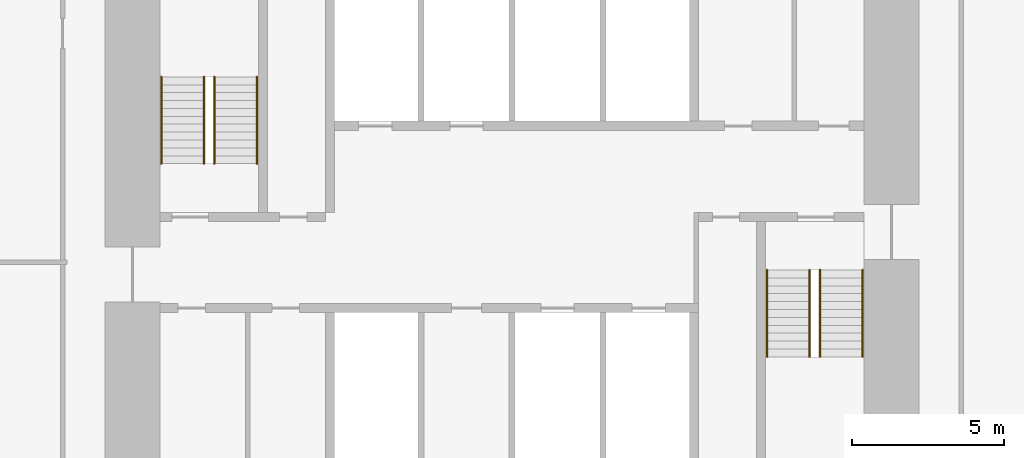
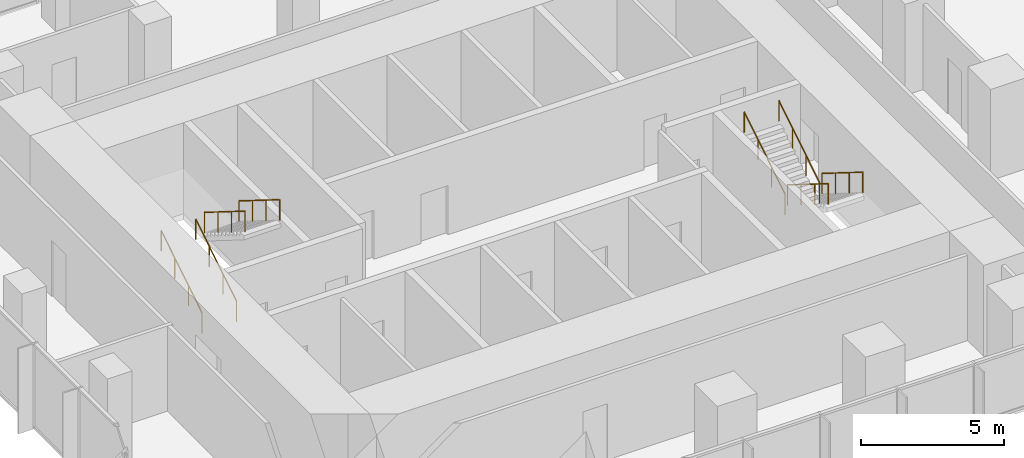
# One storey, part 10 of 10: 8 railings.
"""IFC4 building model written with IfcOpenShell, lengths in metres."""

from ifc_helpers import new_model, si_unit, direction, frame, origin, origin_2d, place, context, subcontext, project, spatial, circle, extrude, material, type_object, element, save


model = new_model("IFC4")

# Units and contexts
model_context = context("Model", 3, precision=1e-05, world=origin(), true_north=direction((0.0, 1.0)))
body_context = subcontext(model_context, "Body", "Model", "MODEL_VIEW")
ifc_project = project(units=[si_unit("LENGTHUNIT", "METRE"), si_unit("AREAUNIT", "SQUARE_METRE"), si_unit("VOLUMEUNIT", "CUBIC_METRE"), si_unit("PLANEANGLEUNIT", "RADIAN"), si_unit("MASSUNIT", "GRAM", prefix="KILO")], contexts=[model_context])

# Site, building, storey
site_placement = place(None, origin())
site = spatial("IfcSite", under=ifc_project, at=site_placement, CompositionType="ELEMENT")
building_placement = place(site_placement, origin())
building = spatial("IfcBuilding", under=site, at=building_placement, Name="Highveld Stack Headquarters", CompositionType="ELEMENT")
storey_placement = place(building_placement, frame((0.0, 0.0, 264.5)))
storey = spatial("IfcBuildingStorey", under=building, at=storey_placement, Name="L65", CompositionType="ELEMENT", Elevation=264.5)

# Railings
ifc_material = material(Name="Stainless steel handrail", Category="steel")
railing_type = type_object("IfcRailingType", Name="STAIR HANDRAIL HR1 900", PredefinedType="HANDRAIL", material=ifc_material)
for number, where, name in (
    (1, (-5.550048828125, 4.75, 0.16259765625), "Handrail S1 L65 flight 1"),
    (2, (-4.14990234375, 4.75, 0.16259765625), "Handrail S1 L65 flight 1"),
):
    element("IfcRailing", number, at=place(storey_placement, frame(where)), inside=storey, type_object=railing_type, Name=name, PredefinedType="HANDRAIL", context=body_context, shape_type="SweptSolid", body=[
        extrude(circle(Radius=0.02392578125, at=origin_2d()), frame((0.0, 0.0, 0.8759765625), z_axis=(0.0, 0.848026770018, 0.529953391661), x_axis=(-1.0, 0.0, 0.0)), (0.0, 0.0, 1.0), 3.37255859375),
        extrude(circle(Radius=0.02099609375, at=origin_2d()), origin(), (0.0, 0.0, 1.0), 0.851806640625),
        extrude(circle(Radius=0.02099609375, at=origin_2d()), frame((0.0, 0.953369140625, 0.595703125)), (0.0, 0.0, 1.0), 0.851806640625),
        extrude(circle(Radius=0.02099609375, at=origin_2d()), frame((0.0, 1.90673828125, 1.191650390625)), (0.0, 0.0, 1.0), 0.851806640625),
        extrude(circle(Radius=0.02099609375, at=origin_2d()), frame((0.0, 2.860107421875, 1.787353515625)), (0.0, 0.0, 1.0), 0.851806640625),
    ])
for number, where, name in (
    (3, (-3.800048828125, 7.610107421875, 2.112548828125), "Handrail S1 L65 flight 2"),
    (4, (-2.39990234375, 7.610107421875, 2.112548828125), "Handrail S1 L65 flight 2"),
    (5, (16.14990234375, 1.25, 0.16259765625), "Handrail S2 L65 flight 1"),
    (6, (17.550048828125, 1.25, 0.16259765625), "Handrail S2 L65 flight 1"),
):
    element("IfcRailing", number, at=place(storey_placement, frame(where)), inside=storey, type_object=railing_type, Name=name, PredefinedType="HANDRAIL", context=body_context, shape_type="SweptSolid", body=[
        extrude(circle(Radius=0.02392578125, at=origin_2d()), frame((0.0, 0.0, 0.8759765625), z_axis=(0.0, -0.848026770018, 0.529953391661), x_axis=(1.0, 0.0, 0.0)), (0.0, 0.0, 1.0), 3.37255859375),
        extrude(circle(Radius=0.02099609375, at=origin_2d()), origin(), (0.0, 0.0, 1.0), 0.851806640625),
        extrude(circle(Radius=0.02099609375, at=origin_2d()), frame((0.0, -0.953369140625, 0.595703125)), (0.0, 0.0, 1.0), 0.851806640625),
        extrude(circle(Radius=0.02099609375, at=origin_2d()), frame((0.0, -1.90673828125, 1.191650390625)), (0.0, 0.0, 1.0), 0.851806640625),
        extrude(circle(Radius=0.02099609375, at=origin_2d()), frame((0.0, -2.860107421875, 1.787353515625)), (0.0, 0.0, 1.0), 0.851806640625),
    ])
for number, where, name in (
    (7, (14.39990234375, -1.610107421875, 2.112548828125), "Handrail S2 L65 flight 2"),
    (8, (15.800048828125, -1.610107421875, 2.112548828125), "Handrail S2 L65 flight 2"),
):
    element("IfcRailing", number, at=place(storey_placement, frame(where)), inside=storey, type_object=railing_type, Name=name, PredefinedType="HANDRAIL", context=body_context, shape_type="SweptSolid", body=[
        extrude(circle(Radius=0.02392578125, at=origin_2d()), frame((0.0, 0.0, 0.8759765625), z_axis=(0.0, 0.848026770018, 0.529953391661), x_axis=(-1.0, 0.0, 0.0)), (0.0, 0.0, 1.0), 3.37255859375),
        extrude(circle(Radius=0.02099609375, at=origin_2d()), origin(), (0.0, 0.0, 1.0), 0.851806640625),
        extrude(circle(Radius=0.02099609375, at=origin_2d()), frame((0.0, 0.953369140625, 0.595703125)), (0.0, 0.0, 1.0), 0.851806640625),
        extrude(circle(Radius=0.02099609375, at=origin_2d()), frame((0.0, 1.90673828125, 1.191650390625)), (0.0, 0.0, 1.0), 0.851806640625),
        extrude(circle(Radius=0.02099609375, at=origin_2d()), frame((0.0, 2.860107421875, 1.787353515625)), (0.0, 0.0, 1.0), 0.851806640625),
    ])

save(model, "model.ifc")
